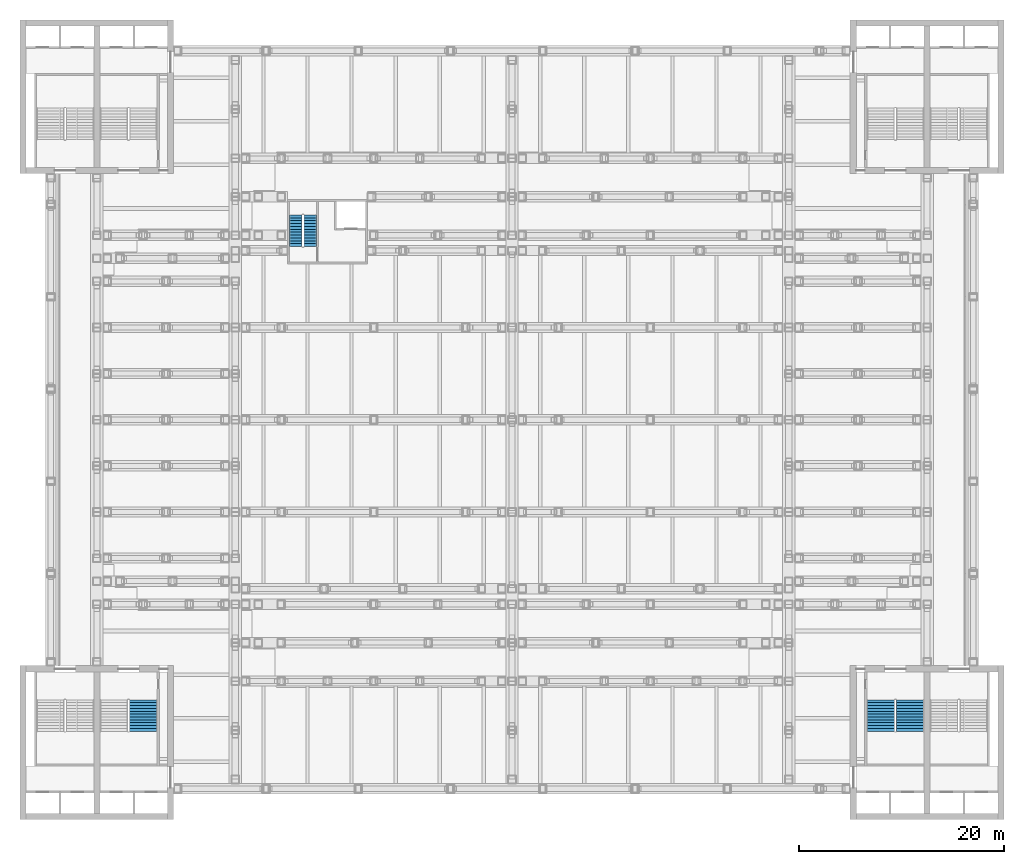
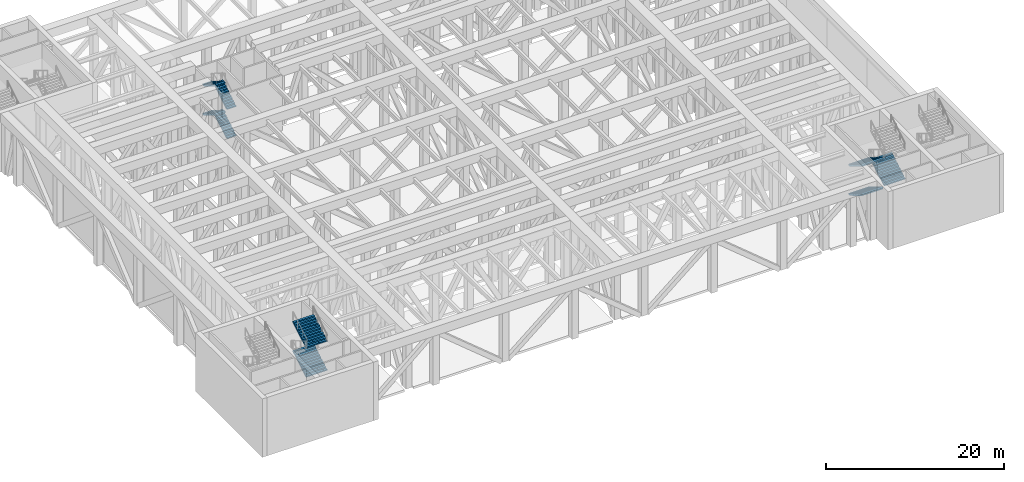
# One storey, part 13 of 20: 9 stair flights, 3 elements without a shape of their own.
"""IFC4 building model written with IfcOpenShell, lengths in metres."""

from ifc_helpers import new_model, si_unit, direction, frame, origin, place, context, subcontext, project, spatial, polyline, outline, extrude, material, type_object, element, aggregate, save


model = new_model("IFC4")

# Units and contexts
model_context = context("Model", 3, precision=1e-05, world=origin(), true_north=direction((0.0, 1.0)))
body_context = subcontext(model_context, "Body", "Model", "MODEL_VIEW")
ifc_project = project(units=[si_unit("LENGTHUNIT", "METRE"), si_unit("AREAUNIT", "SQUARE_METRE"), si_unit("VOLUMEUNIT", "CUBIC_METRE"), si_unit("PLANEANGLEUNIT", "RADIAN"), si_unit("MASSUNIT", "GRAM", prefix="KILO")], contexts=[model_context])

# Site, building, storey
site_placement = place(None, origin())
site = spatial("IfcSite", under=ifc_project, at=site_placement, CompositionType="ELEMENT")
building_placement = place(site_placement, origin())
building = spatial("IfcBuilding", under=site, at=building_placement, Name="Corbelhall Arena Tower", CompositionType="ELEMENT")
storey_placement = place(building_placement, frame((0.0, 0.0, 52.0)))
storey = spatial("IfcBuildingStorey", under=building, at=storey_placement, Name="L07", CompositionType="ELEMENT", Elevation=52.0)

# Stair, stair flights
ifc_material_1 = material(Name="Reinforced concrete C40/50", Category="concrete")
stair_type_1 = type_object("IfcStairType", Name="AR-EXIT-STAIR", PredefinedType="HALF_TURN_STAIR", material=ifc_material_1)
stair_1_placement = place(storey_placement, origin())
stair_1 = element("IfcStair", 1, at=stair_1_placement, inside=storey, type_object=stair_type_1, Name="L07 exit stair AS5", PredefinedType="HALF_TURN_STAIR")
stair_flight_type_1 = type_object("IfcStairFlightType", Name="AR-EXIT-FLIGHT", PredefinedType="STRAIGHT", material=ifc_material_1)
stair_flight_1_placement = place(storey_placement, frame((35.969970703125, -27.320068359375, 0.0), z_axis=(0.0, 0.0, 1.0), x_axis=(0.0, -1.0, 0.0)))
stair_flight_1 = element("IfcStairFlight", 2, at=stair_flight_1_placement, type_object=stair_flight_type_1, Name="AS5 flight 1", NumberOfRisers=12, NumberOfTreads=11, PredefinedType="STRAIGHT", RiserHeight=0.166666667, TreadLength=0.28, context=body_context, shape_type="SweptSolid", body=[
    extrude(outline(polyline([(0.0, 0.0), (0.0, 0.166748046875), (0.280029296875, 0.166748046875), (0.280029296875, 0.333251953125), (0.56005859375, 0.333251953125), (0.56005859375, 0.5), (0.840087890625, 0.5), (0.840087890625, 0.666748046875), (1.1201171875, 0.666748046875), (1.1201171875, 0.833251953125), (1.39990234375, 0.833251953125), (1.39990234375, 1.0), (1.679931640625, 1.0), (1.679931640625, 1.166748046875), (1.9599609375, 1.166748046875), (1.9599609375, 1.333251953125), (2.239990234375, 1.333251953125), (2.239990234375, 1.5), (2.52001953125, 1.5), (2.52001953125, 1.666748046875), (2.800048828125, 1.666748046875), (2.800048828125, 1.833251953125), (3.080078125, 1.833251953125), (3.080078125, 2.0), (3.080078125, 1.658935546875), (0.29296875, 0.0), (0.0, 0.0)])), frame((0.0, 1.35986328125, 0.0), z_axis=(0.0, -1.0, 0.0), x_axis=(1.0, 0.0, 0.0)), (0.0, 0.0, 1.0), 0.449951171875),
    extrude(outline(polyline([(0.0, 0.0), (0.0, 0.166748046875), (0.280029296875, 0.166748046875), (0.280029296875, 0.333251953125), (0.56005859375, 0.333251953125), (0.56005859375, 0.5), (0.840087890625, 0.5), (0.840087890625, 0.666748046875), (1.1201171875, 0.666748046875), (1.1201171875, 0.833251953125), (1.39990234375, 0.833251953125), (1.39990234375, 1.0), (1.679931640625, 1.0), (1.679931640625, 1.166748046875), (1.9599609375, 1.166748046875), (1.9599609375, 1.333251953125), (2.239990234375, 1.333251953125), (2.239990234375, 1.5), (2.52001953125, 1.5), (2.52001953125, 1.666748046875), (2.800048828125, 1.666748046875), (2.800048828125, 1.833251953125), (3.080078125, 1.833251953125), (3.080078125, 2.0), (3.080078125, 1.658935546875), (0.29296875, 0.0), (0.0, 0.0)])), frame((0.0, 0.906005859375, 0.0), z_axis=(0.0, -1.0, 0.0), x_axis=(1.0, 0.0, 0.0)), (0.0, 0.0, 1.0), 0.601318359375),
    extrude(outline(polyline([(0.0, 0.0), (0.0, 0.166748046875), (0.280029296875, 0.166748046875), (0.280029296875, 0.333251953125), (0.56005859375, 0.333251953125), (0.56005859375, 0.5), (0.840087890625, 0.5), (0.840087890625, 0.666748046875), (1.1201171875, 0.666748046875), (1.1201171875, 0.833251953125), (1.39990234375, 0.833251953125), (1.39990234375, 1.0), (1.679931640625, 1.0), (1.679931640625, 1.166748046875), (1.9599609375, 1.166748046875), (1.9599609375, 1.333251953125), (2.239990234375, 1.333251953125), (2.239990234375, 1.5), (2.52001953125, 1.5), (2.52001953125, 1.666748046875), (2.800048828125, 1.666748046875), (2.800048828125, 1.833251953125), (3.080078125, 1.833251953125), (3.080078125, 2.0), (3.080078125, 1.658935546875), (0.29296875, 0.0), (0.0, 0.0)])), frame((0.0, 0.30078125, 0.0), z_axis=(0.0, -1.0, 0.0), x_axis=(1.0, 0.0, 0.0)), (0.0, 0.0, 1.0), 0.601318359375),
    extrude(outline(polyline([(0.0, 0.0), (0.0, 0.166748046875), (0.280029296875, 0.166748046875), (0.280029296875, 0.333251953125), (0.56005859375, 0.333251953125), (0.56005859375, 0.5), (0.840087890625, 0.5), (0.840087890625, 0.666748046875), (1.1201171875, 0.666748046875), (1.1201171875, 0.833251953125), (1.39990234375, 0.833251953125), (1.39990234375, 1.0), (1.679931640625, 1.0), (1.679931640625, 1.166748046875), (1.9599609375, 1.166748046875), (1.9599609375, 1.333251953125), (2.239990234375, 1.333251953125), (2.239990234375, 1.5), (2.52001953125, 1.5), (2.52001953125, 1.666748046875), (2.800048828125, 1.666748046875), (2.800048828125, 1.833251953125), (3.080078125, 1.833251953125), (3.080078125, 2.0), (3.080078125, 1.658935546875), (0.29296875, 0.0), (0.0, 0.0)])), frame((0.0, -0.3046875, 0.0), z_axis=(0.0, -1.0, 0.0), x_axis=(1.0, 0.0, 0.0)), (0.0, 0.0, 1.0), 0.601318359375),
    extrude(outline(polyline([(0.0, 0.0), (0.0, 0.166748046875), (0.280029296875, 0.166748046875), (0.280029296875, 0.333251953125), (0.56005859375, 0.333251953125), (0.56005859375, 0.5), (0.840087890625, 0.5), (0.840087890625, 0.666748046875), (1.1201171875, 0.666748046875), (1.1201171875, 0.833251953125), (1.39990234375, 0.833251953125), (1.39990234375, 1.0), (1.679931640625, 1.0), (1.679931640625, 1.166748046875), (1.9599609375, 1.166748046875), (1.9599609375, 1.333251953125), (2.239990234375, 1.333251953125), (2.239990234375, 1.5), (2.52001953125, 1.5), (2.52001953125, 1.666748046875), (2.800048828125, 1.666748046875), (2.800048828125, 1.833251953125), (3.080078125, 1.833251953125), (3.080078125, 2.0), (3.080078125, 1.658935546875), (0.29296875, 0.0), (0.0, 0.0)])), frame((0.0, -0.909912109375, 0.0), z_axis=(0.0, -1.0, 0.0), x_axis=(1.0, 0.0, 0.0)), (0.0, 0.0, 1.0), 0.449951171875),
])
stair_flight_2_placement = place(storey_placement, frame((38.840087890625, -30.39990234375, 2.0), z_axis=(0.0, 0.0, 1.0), x_axis=(0.0, 1.0, 0.0)))
stair_flight_2 = element("IfcStairFlight", 3, at=stair_flight_2_placement, type_object=stair_flight_type_1, Name="AS5 flight 2", NumberOfRisers=12, NumberOfTreads=11, PredefinedType="STRAIGHT", RiserHeight=0.166666667, TreadLength=0.28, context=body_context, shape_type="SweptSolid", body=[
    extrude(outline(polyline([(0.0, 0.0), (0.0, 0.166748046875), (0.280029296875, 0.166748046875), (0.280029296875, 0.333251953125), (0.56005859375, 0.333251953125), (0.56005859375, 0.5), (0.840087890625, 0.5), (0.840087890625, 0.666748046875), (1.1201171875, 0.666748046875), (1.1201171875, 0.833251953125), (1.39990234375, 0.833251953125), (1.39990234375, 1.0), (1.679931640625, 1.0), (1.679931640625, 1.166748046875), (1.9599609375, 1.166748046875), (1.9599609375, 1.333251953125), (2.239990234375, 1.333251953125), (2.239990234375, 1.5), (2.52001953125, 1.5), (2.52001953125, 1.666748046875), (2.800048828125, 1.666748046875), (2.800048828125, 1.833251953125), (3.080078125, 1.833251953125), (3.080078125, 2.0), (3.080078125, 1.658935546875), (0.29296875, 0.0), (0.0, 0.0)])), frame((0.0, 1.35986328125, 0.0), z_axis=(0.0, -1.0, 0.0), x_axis=(1.0, 0.0, 0.0)), (0.0, 0.0, 1.0), 0.449951171875),
    extrude(outline(polyline([(0.0, 0.0), (0.0, 0.166748046875), (0.280029296875, 0.166748046875), (0.280029296875, 0.333251953125), (0.56005859375, 0.333251953125), (0.56005859375, 0.5), (0.840087890625, 0.5), (0.840087890625, 0.666748046875), (1.1201171875, 0.666748046875), (1.1201171875, 0.833251953125), (1.39990234375, 0.833251953125), (1.39990234375, 1.0), (1.679931640625, 1.0), (1.679931640625, 1.166748046875), (1.9599609375, 1.166748046875), (1.9599609375, 1.333251953125), (2.239990234375, 1.333251953125), (2.239990234375, 1.5), (2.52001953125, 1.5), (2.52001953125, 1.666748046875), (2.800048828125, 1.666748046875), (2.800048828125, 1.833251953125), (3.080078125, 1.833251953125), (3.080078125, 2.0), (3.080078125, 1.658935546875), (0.29296875, 0.0), (0.0, 0.0)])), frame((0.0, 0.906005859375, 0.0), z_axis=(0.0, -1.0, 0.0), x_axis=(1.0, 0.0, 0.0)), (0.0, 0.0, 1.0), 0.601318359375),
    extrude(outline(polyline([(0.0, 0.0), (0.0, 0.166748046875), (0.280029296875, 0.166748046875), (0.280029296875, 0.333251953125), (0.56005859375, 0.333251953125), (0.56005859375, 0.5), (0.840087890625, 0.5), (0.840087890625, 0.666748046875), (1.1201171875, 0.666748046875), (1.1201171875, 0.833251953125), (1.39990234375, 0.833251953125), (1.39990234375, 1.0), (1.679931640625, 1.0), (1.679931640625, 1.166748046875), (1.9599609375, 1.166748046875), (1.9599609375, 1.333251953125), (2.239990234375, 1.333251953125), (2.239990234375, 1.5), (2.52001953125, 1.5), (2.52001953125, 1.666748046875), (2.800048828125, 1.666748046875), (2.800048828125, 1.833251953125), (3.080078125, 1.833251953125), (3.080078125, 2.0), (3.080078125, 1.658935546875), (0.29296875, 0.0), (0.0, 0.0)])), frame((0.0, 0.30078125, 0.0), z_axis=(0.0, -1.0, 0.0), x_axis=(1.0, 0.0, 0.0)), (0.0, 0.0, 1.0), 0.601318359375),
    extrude(outline(polyline([(0.0, 0.0), (0.0, 0.166748046875), (0.280029296875, 0.166748046875), (0.280029296875, 0.333251953125), (0.56005859375, 0.333251953125), (0.56005859375, 0.5), (0.840087890625, 0.5), (0.840087890625, 0.666748046875), (1.1201171875, 0.666748046875), (1.1201171875, 0.833251953125), (1.39990234375, 0.833251953125), (1.39990234375, 1.0), (1.679931640625, 1.0), (1.679931640625, 1.166748046875), (1.9599609375, 1.166748046875), (1.9599609375, 1.333251953125), (2.239990234375, 1.333251953125), (2.239990234375, 1.5), (2.52001953125, 1.5), (2.52001953125, 1.666748046875), (2.800048828125, 1.666748046875), (2.800048828125, 1.833251953125), (3.080078125, 1.833251953125), (3.080078125, 2.0), (3.080078125, 1.658935546875), (0.29296875, 0.0), (0.0, 0.0)])), frame((0.0, -0.3046875, 0.0), z_axis=(0.0, -1.0, 0.0), x_axis=(1.0, 0.0, 0.0)), (0.0, 0.0, 1.0), 0.601318359375),
    extrude(outline(polyline([(0.0, 0.0), (0.0, 0.166748046875), (0.280029296875, 0.166748046875), (0.280029296875, 0.333251953125), (0.56005859375, 0.333251953125), (0.56005859375, 0.5), (0.840087890625, 0.5), (0.840087890625, 0.666748046875), (1.1201171875, 0.666748046875), (1.1201171875, 0.833251953125), (1.39990234375, 0.833251953125), (1.39990234375, 1.0), (1.679931640625, 1.0), (1.679931640625, 1.166748046875), (1.9599609375, 1.166748046875), (1.9599609375, 1.333251953125), (2.239990234375, 1.333251953125), (2.239990234375, 1.5), (2.52001953125, 1.5), (2.52001953125, 1.666748046875), (2.800048828125, 1.666748046875), (2.800048828125, 1.833251953125), (3.080078125, 1.833251953125), (3.080078125, 2.0), (3.080078125, 1.658935546875), (0.29296875, 0.0), (0.0, 0.0)])), frame((0.0, -0.909912109375, 0.0), z_axis=(0.0, -1.0, 0.0), x_axis=(1.0, 0.0, 0.0)), (0.0, 0.0, 1.0), 0.449951171875),
])
stair_flight_3_placement = place(storey_placement, frame((35.969970703125, -27.320068359375, 4.0), z_axis=(0.0, 0.0, 1.0), x_axis=(0.0, -1.0, 0.0)))
stair_flight_3 = element("IfcStairFlight", 4, at=stair_flight_3_placement, type_object=stair_flight_type_1, Name="AS5 flight 3", NumberOfRisers=12, NumberOfTreads=11, PredefinedType="STRAIGHT", RiserHeight=0.166666667, TreadLength=0.28, context=body_context, shape_type="SweptSolid", body=[
    extrude(outline(polyline([(0.0, 0.0), (0.0, 0.166748046875), (0.280029296875, 0.166748046875), (0.280029296875, 0.333251953125), (0.56005859375, 0.333251953125), (0.56005859375, 0.5), (0.840087890625, 0.5), (0.840087890625, 0.666748046875), (1.1201171875, 0.666748046875), (1.1201171875, 0.833251953125), (1.39990234375, 0.833251953125), (1.39990234375, 1.0), (1.679931640625, 1.0), (1.679931640625, 1.166748046875), (1.9599609375, 1.166748046875), (1.9599609375, 1.333251953125), (2.239990234375, 1.333251953125), (2.239990234375, 1.5), (2.52001953125, 1.5), (2.52001953125, 1.666748046875), (2.800048828125, 1.666748046875), (2.800048828125, 1.833251953125), (3.080078125, 1.833251953125), (3.080078125, 2.0), (3.080078125, 1.658935546875), (0.29296875, 0.0), (0.0, 0.0)])), frame((0.0, 1.35986328125, 0.0), z_axis=(0.0, -1.0, 0.0), x_axis=(1.0, 0.0, 0.0)), (0.0, 0.0, 1.0), 0.449951171875),
    extrude(outline(polyline([(0.0, 0.0), (0.0, 0.166748046875), (0.280029296875, 0.166748046875), (0.280029296875, 0.333251953125), (0.56005859375, 0.333251953125), (0.56005859375, 0.5), (0.840087890625, 0.5), (0.840087890625, 0.666748046875), (1.1201171875, 0.666748046875), (1.1201171875, 0.833251953125), (1.39990234375, 0.833251953125), (1.39990234375, 1.0), (1.679931640625, 1.0), (1.679931640625, 1.166748046875), (1.9599609375, 1.166748046875), (1.9599609375, 1.333251953125), (2.239990234375, 1.333251953125), (2.239990234375, 1.5), (2.52001953125, 1.5), (2.52001953125, 1.666748046875), (2.800048828125, 1.666748046875), (2.800048828125, 1.833251953125), (3.080078125, 1.833251953125), (3.080078125, 2.0), (3.080078125, 1.658935546875), (0.29296875, 0.0), (0.0, 0.0)])), frame((0.0, 0.906005859375, 0.0), z_axis=(0.0, -1.0, 0.0), x_axis=(1.0, 0.0, 0.0)), (0.0, 0.0, 1.0), 0.601318359375),
    extrude(outline(polyline([(0.0, 0.0), (0.0, 0.166748046875), (0.280029296875, 0.166748046875), (0.280029296875, 0.333251953125), (0.56005859375, 0.333251953125), (0.56005859375, 0.5), (0.840087890625, 0.5), (0.840087890625, 0.666748046875), (1.1201171875, 0.666748046875), (1.1201171875, 0.833251953125), (1.39990234375, 0.833251953125), (1.39990234375, 1.0), (1.679931640625, 1.0), (1.679931640625, 1.166748046875), (1.9599609375, 1.166748046875), (1.9599609375, 1.333251953125), (2.239990234375, 1.333251953125), (2.239990234375, 1.5), (2.52001953125, 1.5), (2.52001953125, 1.666748046875), (2.800048828125, 1.666748046875), (2.800048828125, 1.833251953125), (3.080078125, 1.833251953125), (3.080078125, 2.0), (3.080078125, 1.658935546875), (0.29296875, 0.0), (0.0, 0.0)])), frame((0.0, 0.30078125, 0.0), z_axis=(0.0, -1.0, 0.0), x_axis=(1.0, 0.0, 0.0)), (0.0, 0.0, 1.0), 0.601318359375),
    extrude(outline(polyline([(0.0, 0.0), (0.0, 0.166748046875), (0.280029296875, 0.166748046875), (0.280029296875, 0.333251953125), (0.56005859375, 0.333251953125), (0.56005859375, 0.5), (0.840087890625, 0.5), (0.840087890625, 0.666748046875), (1.1201171875, 0.666748046875), (1.1201171875, 0.833251953125), (1.39990234375, 0.833251953125), (1.39990234375, 1.0), (1.679931640625, 1.0), (1.679931640625, 1.166748046875), (1.9599609375, 1.166748046875), (1.9599609375, 1.333251953125), (2.239990234375, 1.333251953125), (2.239990234375, 1.5), (2.52001953125, 1.5), (2.52001953125, 1.666748046875), (2.800048828125, 1.666748046875), (2.800048828125, 1.833251953125), (3.080078125, 1.833251953125), (3.080078125, 2.0), (3.080078125, 1.658935546875), (0.29296875, 0.0), (0.0, 0.0)])), frame((0.0, -0.3046875, 0.0), z_axis=(0.0, -1.0, 0.0), x_axis=(1.0, 0.0, 0.0)), (0.0, 0.0, 1.0), 0.601318359375),
    extrude(outline(polyline([(0.0, 0.0), (0.0, 0.166748046875), (0.280029296875, 0.166748046875), (0.280029296875, 0.333251953125), (0.56005859375, 0.333251953125), (0.56005859375, 0.5), (0.840087890625, 0.5), (0.840087890625, 0.666748046875), (1.1201171875, 0.666748046875), (1.1201171875, 0.833251953125), (1.39990234375, 0.833251953125), (1.39990234375, 1.0), (1.679931640625, 1.0), (1.679931640625, 1.166748046875), (1.9599609375, 1.166748046875), (1.9599609375, 1.333251953125), (2.239990234375, 1.333251953125), (2.239990234375, 1.5), (2.52001953125, 1.5), (2.52001953125, 1.666748046875), (2.800048828125, 1.666748046875), (2.800048828125, 1.833251953125), (3.080078125, 1.833251953125), (3.080078125, 2.0), (3.080078125, 1.658935546875), (0.29296875, 0.0), (0.0, 0.0)])), frame((0.0, -0.909912109375, 0.0), z_axis=(0.0, -1.0, 0.0), x_axis=(1.0, 0.0, 0.0)), (0.0, 0.0, 1.0), 0.449951171875),
])
aggregate(stair_1, [stair_flight_1, stair_flight_2, stair_flight_3])

stair_2_placement = place(storey_placement, origin())
stair_2 = element("IfcStair", 5, at=stair_2_placement, inside=storey, type_object=stair_type_1, Name="L07 exit stair AS7", PredefinedType="HALF_TURN_STAIR")
stair_flight_4_placement = place(storey_placement, frame((-35.969970703125, -30.39990234375, 2.0), z_axis=(0.0, 0.0, 1.0), x_axis=(0.0, 1.0, 0.0)))
stair_flight_4 = element("IfcStairFlight", 6, at=stair_flight_4_placement, type_object=stair_flight_type_1, Name="AS7 flight 2", NumberOfRisers=12, NumberOfTreads=11, PredefinedType="STRAIGHT", RiserHeight=0.166666667, TreadLength=0.28, context=body_context, shape_type="SweptSolid", body=[
    extrude(outline(polyline([(0.0, 0.0), (0.0, 0.166748046875), (0.280029296875, 0.166748046875), (0.280029296875, 0.333251953125), (0.56005859375, 0.333251953125), (0.56005859375, 0.5), (0.840087890625, 0.5), (0.840087890625, 0.666748046875), (1.1201171875, 0.666748046875), (1.1201171875, 0.833251953125), (1.39990234375, 0.833251953125), (1.39990234375, 1.0), (1.679931640625, 1.0), (1.679931640625, 1.166748046875), (1.9599609375, 1.166748046875), (1.9599609375, 1.333251953125), (2.239990234375, 1.333251953125), (2.239990234375, 1.5), (2.52001953125, 1.5), (2.52001953125, 1.666748046875), (2.800048828125, 1.666748046875), (2.800048828125, 1.833251953125), (3.080078125, 1.833251953125), (3.080078125, 2.0), (3.080078125, 1.658935546875), (0.29296875, 0.0), (0.0, 0.0)])), frame((0.0, 1.35986328125, 0.0), z_axis=(0.0, -1.0, 0.0), x_axis=(1.0, 0.0, 0.0)), (0.0, 0.0, 1.0), 0.449951171875),
    extrude(outline(polyline([(0.0, 0.0), (0.0, 0.166748046875), (0.280029296875, 0.166748046875), (0.280029296875, 0.333251953125), (0.56005859375, 0.333251953125), (0.56005859375, 0.5), (0.840087890625, 0.5), (0.840087890625, 0.666748046875), (1.1201171875, 0.666748046875), (1.1201171875, 0.833251953125), (1.39990234375, 0.833251953125), (1.39990234375, 1.0), (1.679931640625, 1.0), (1.679931640625, 1.166748046875), (1.9599609375, 1.166748046875), (1.9599609375, 1.333251953125), (2.239990234375, 1.333251953125), (2.239990234375, 1.5), (2.52001953125, 1.5), (2.52001953125, 1.666748046875), (2.800048828125, 1.666748046875), (2.800048828125, 1.833251953125), (3.080078125, 1.833251953125), (3.080078125, 2.0), (3.080078125, 1.658935546875), (0.29296875, 0.0), (0.0, 0.0)])), frame((0.0, 0.906005859375, 0.0), z_axis=(0.0, -1.0, 0.0), x_axis=(1.0, 0.0, 0.0)), (0.0, 0.0, 1.0), 0.601318359375),
    extrude(outline(polyline([(0.0, 0.0), (0.0, 0.166748046875), (0.280029296875, 0.166748046875), (0.280029296875, 0.333251953125), (0.56005859375, 0.333251953125), (0.56005859375, 0.5), (0.840087890625, 0.5), (0.840087890625, 0.666748046875), (1.1201171875, 0.666748046875), (1.1201171875, 0.833251953125), (1.39990234375, 0.833251953125), (1.39990234375, 1.0), (1.679931640625, 1.0), (1.679931640625, 1.166748046875), (1.9599609375, 1.166748046875), (1.9599609375, 1.333251953125), (2.239990234375, 1.333251953125), (2.239990234375, 1.5), (2.52001953125, 1.5), (2.52001953125, 1.666748046875), (2.800048828125, 1.666748046875), (2.800048828125, 1.833251953125), (3.080078125, 1.833251953125), (3.080078125, 2.0), (3.080078125, 1.658935546875), (0.29296875, 0.0), (0.0, 0.0)])), frame((0.0, 0.30078125, 0.0), z_axis=(0.0, -1.0, 0.0), x_axis=(1.0, 0.0, 0.0)), (0.0, 0.0, 1.0), 0.601318359375),
    extrude(outline(polyline([(0.0, 0.0), (0.0, 0.166748046875), (0.280029296875, 0.166748046875), (0.280029296875, 0.333251953125), (0.56005859375, 0.333251953125), (0.56005859375, 0.5), (0.840087890625, 0.5), (0.840087890625, 0.666748046875), (1.1201171875, 0.666748046875), (1.1201171875, 0.833251953125), (1.39990234375, 0.833251953125), (1.39990234375, 1.0), (1.679931640625, 1.0), (1.679931640625, 1.166748046875), (1.9599609375, 1.166748046875), (1.9599609375, 1.333251953125), (2.239990234375, 1.333251953125), (2.239990234375, 1.5), (2.52001953125, 1.5), (2.52001953125, 1.666748046875), (2.800048828125, 1.666748046875), (2.800048828125, 1.833251953125), (3.080078125, 1.833251953125), (3.080078125, 2.0), (3.080078125, 1.658935546875), (0.29296875, 0.0), (0.0, 0.0)])), frame((0.0, -0.3046875, 0.0), z_axis=(0.0, -1.0, 0.0), x_axis=(1.0, 0.0, 0.0)), (0.0, 0.0, 1.0), 0.601318359375),
    extrude(outline(polyline([(0.0, 0.0), (0.0, 0.166748046875), (0.280029296875, 0.166748046875), (0.280029296875, 0.333251953125), (0.56005859375, 0.333251953125), (0.56005859375, 0.5), (0.840087890625, 0.5), (0.840087890625, 0.666748046875), (1.1201171875, 0.666748046875), (1.1201171875, 0.833251953125), (1.39990234375, 0.833251953125), (1.39990234375, 1.0), (1.679931640625, 1.0), (1.679931640625, 1.166748046875), (1.9599609375, 1.166748046875), (1.9599609375, 1.333251953125), (2.239990234375, 1.333251953125), (2.239990234375, 1.5), (2.52001953125, 1.5), (2.52001953125, 1.666748046875), (2.800048828125, 1.666748046875), (2.800048828125, 1.833251953125), (3.080078125, 1.833251953125), (3.080078125, 2.0), (3.080078125, 1.658935546875), (0.29296875, 0.0), (0.0, 0.0)])), frame((0.0, -0.909912109375, 0.0), z_axis=(0.0, -1.0, 0.0), x_axis=(1.0, 0.0, 0.0)), (0.0, 0.0, 1.0), 0.449951171875),
])
stair_flight_5_placement = place(storey_placement, frame((-35.969970703125, -30.39990234375, 6.0), z_axis=(0.0, 0.0, 1.0), x_axis=(0.0, 1.0, 0.0)))
stair_flight_5 = element("IfcStairFlight", 7, at=stair_flight_5_placement, type_object=stair_flight_type_1, Name="AS7 flight 4", NumberOfRisers=12, NumberOfTreads=11, PredefinedType="STRAIGHT", RiserHeight=0.166666667, TreadLength=0.28, context=body_context, shape_type="SweptSolid", body=[
    extrude(outline(polyline([(0.0, 0.0), (0.0, 0.166748046875), (0.280029296875, 0.166748046875), (0.280029296875, 0.333251953125), (0.56005859375, 0.333251953125), (0.56005859375, 0.5), (0.840087890625, 0.5), (0.840087890625, 0.666748046875), (1.1201171875, 0.666748046875), (1.1201171875, 0.833251953125), (1.39990234375, 0.833251953125), (1.39990234375, 1.0), (1.679931640625, 1.0), (1.679931640625, 1.166748046875), (1.9599609375, 1.166748046875), (1.9599609375, 1.333251953125), (2.239990234375, 1.333251953125), (2.239990234375, 1.5), (2.52001953125, 1.5), (2.52001953125, 1.666748046875), (2.800048828125, 1.666748046875), (2.800048828125, 1.833251953125), (3.080078125, 1.833251953125), (3.080078125, 2.0), (3.080078125, 1.658935546875), (0.29296875, 0.0), (0.0, 0.0)])), frame((0.0, 1.35986328125, 0.0), z_axis=(0.0, -1.0, 0.0), x_axis=(1.0, 0.0, 0.0)), (0.0, 0.0, 1.0), 0.449951171875),
    extrude(outline(polyline([(0.0, 0.0), (0.0, 0.166748046875), (0.280029296875, 0.166748046875), (0.280029296875, 0.333251953125), (0.56005859375, 0.333251953125), (0.56005859375, 0.5), (0.840087890625, 0.5), (0.840087890625, 0.666748046875), (1.1201171875, 0.666748046875), (1.1201171875, 0.833251953125), (1.39990234375, 0.833251953125), (1.39990234375, 1.0), (1.679931640625, 1.0), (1.679931640625, 1.166748046875), (1.9599609375, 1.166748046875), (1.9599609375, 1.333251953125), (2.239990234375, 1.333251953125), (2.239990234375, 1.5), (2.52001953125, 1.5), (2.52001953125, 1.666748046875), (2.800048828125, 1.666748046875), (2.800048828125, 1.833251953125), (3.080078125, 1.833251953125), (3.080078125, 2.0), (3.080078125, 1.658935546875), (0.29296875, 0.0), (0.0, 0.0)])), frame((0.0, 0.906005859375, 0.0), z_axis=(0.0, -1.0, 0.0), x_axis=(1.0, 0.0, 0.0)), (0.0, 0.0, 1.0), 0.601318359375),
    extrude(outline(polyline([(0.0, 0.0), (0.0, 0.166748046875), (0.280029296875, 0.166748046875), (0.280029296875, 0.333251953125), (0.56005859375, 0.333251953125), (0.56005859375, 0.5), (0.840087890625, 0.5), (0.840087890625, 0.666748046875), (1.1201171875, 0.666748046875), (1.1201171875, 0.833251953125), (1.39990234375, 0.833251953125), (1.39990234375, 1.0), (1.679931640625, 1.0), (1.679931640625, 1.166748046875), (1.9599609375, 1.166748046875), (1.9599609375, 1.333251953125), (2.239990234375, 1.333251953125), (2.239990234375, 1.5), (2.52001953125, 1.5), (2.52001953125, 1.666748046875), (2.800048828125, 1.666748046875), (2.800048828125, 1.833251953125), (3.080078125, 1.833251953125), (3.080078125, 2.0), (3.080078125, 1.658935546875), (0.29296875, 0.0), (0.0, 0.0)])), frame((0.0, 0.30078125, 0.0), z_axis=(0.0, -1.0, 0.0), x_axis=(1.0, 0.0, 0.0)), (0.0, 0.0, 1.0), 0.601318359375),
    extrude(outline(polyline([(0.0, 0.0), (0.0, 0.166748046875), (0.280029296875, 0.166748046875), (0.280029296875, 0.333251953125), (0.56005859375, 0.333251953125), (0.56005859375, 0.5), (0.840087890625, 0.5), (0.840087890625, 0.666748046875), (1.1201171875, 0.666748046875), (1.1201171875, 0.833251953125), (1.39990234375, 0.833251953125), (1.39990234375, 1.0), (1.679931640625, 1.0), (1.679931640625, 1.166748046875), (1.9599609375, 1.166748046875), (1.9599609375, 1.333251953125), (2.239990234375, 1.333251953125), (2.239990234375, 1.5), (2.52001953125, 1.5), (2.52001953125, 1.666748046875), (2.800048828125, 1.666748046875), (2.800048828125, 1.833251953125), (3.080078125, 1.833251953125), (3.080078125, 2.0), (3.080078125, 1.658935546875), (0.29296875, 0.0), (0.0, 0.0)])), frame((0.0, -0.3046875, 0.0), z_axis=(0.0, -1.0, 0.0), x_axis=(1.0, 0.0, 0.0)), (0.0, 0.0, 1.0), 0.601318359375),
    extrude(outline(polyline([(0.0, 0.0), (0.0, 0.166748046875), (0.280029296875, 0.166748046875), (0.280029296875, 0.333251953125), (0.56005859375, 0.333251953125), (0.56005859375, 0.5), (0.840087890625, 0.5), (0.840087890625, 0.666748046875), (1.1201171875, 0.666748046875), (1.1201171875, 0.833251953125), (1.39990234375, 0.833251953125), (1.39990234375, 1.0), (1.679931640625, 1.0), (1.679931640625, 1.166748046875), (1.9599609375, 1.166748046875), (1.9599609375, 1.333251953125), (2.239990234375, 1.333251953125), (2.239990234375, 1.5), (2.52001953125, 1.5), (2.52001953125, 1.666748046875), (2.800048828125, 1.666748046875), (2.800048828125, 1.833251953125), (3.080078125, 1.833251953125), (3.080078125, 2.0), (3.080078125, 1.658935546875), (0.29296875, 0.0), (0.0, 0.0)])), frame((0.0, -0.909912109375, 0.0), z_axis=(0.0, -1.0, 0.0), x_axis=(1.0, 0.0, 0.0)), (0.0, 0.0, 1.0), 0.449951171875),
])
aggregate(stair_2, [stair_flight_4, stair_flight_5])

ifc_material_2 = material(Name="Concrete C40/50", Category="concrete")
stair_type_2 = type_object("IfcStairType", Name="IN-ST-TOWER", PredefinedType="HALF_TURN_STAIR", material=ifc_material_2)
stair_3_placement = place(storey_placement, origin())
stair_3 = element("IfcStair", 8, at=stair_3_placement, inside=storey, type_object=stair_type_2, Name="L07 Exit stair AS17", PredefinedType="HALF_TURN_STAIR")
stair_flight_type_2 = type_object("IfcStairFlightType", Name="IN-SFL-RC", PredefinedType="STRAIGHT", material=ifc_material_2)
stair_flight_6_placement = place(storey_placement, frame((-19.695068359375, 16.89990234375, 0.0), z_axis=(0.0, 0.0, 1.0), x_axis=(0.0, 1.0, 0.0)))
stair_flight_6 = element("IfcStairFlight", 9, at=stair_flight_6_placement, type_object=stair_flight_type_2, Name="AS17 flight 1", NumberOfRisers=12, NumberOfTreads=11, PredefinedType="STRAIGHT", RiserHeight=0.166666667, TreadLength=0.28, context=body_context, shape_type="SweptSolid", body=[
    extrude(outline(polyline([(0.0, 0.0), (0.0, 0.166748046875), (0.280029296875, 0.166748046875), (0.280029296875, 0.333251953125), (0.56005859375, 0.333251953125), (0.56005859375, 0.5), (0.840087890625, 0.5), (0.840087890625, 0.666748046875), (1.1201171875, 0.666748046875), (1.1201171875, 0.833251953125), (1.39990234375, 0.833251953125), (1.39990234375, 1.0), (1.679931640625, 1.0), (1.679931640625, 1.166748046875), (1.9599609375, 1.166748046875), (1.9599609375, 1.333251953125), (2.239990234375, 1.333251953125), (2.239990234375, 1.5), (2.52001953125, 1.5), (2.52001953125, 1.666748046875), (2.800048828125, 1.666748046875), (2.800048828125, 1.833251953125), (3.080078125, 1.833251953125), (3.080078125, 2.0), (3.080078125, 1.658935546875), (0.29296875, 0.0), (0.0, 0.0)])), frame((0.0, 0.60009765625, 0.0), z_axis=(0.0, -1.0, 0.0), x_axis=(1.0, 0.0, 0.0)), (0.0, 0.0, 1.0), 1.199951171875),
])
stair_flight_7_placement = place(storey_placement, frame((-21.094970703125, 19.97998046875, 2.0), z_axis=(0.0, 0.0, 1.0), x_axis=(0.0, -1.0, 0.0)))
stair_flight_7 = element("IfcStairFlight", 10, at=stair_flight_7_placement, type_object=stair_flight_type_2, Name="AS17 flight 2", NumberOfRisers=12, NumberOfTreads=11, PredefinedType="STRAIGHT", RiserHeight=0.166666667, TreadLength=0.28, context=body_context, shape_type="SweptSolid", body=[
    extrude(outline(polyline([(0.0, 0.0), (0.0, 0.166748046875), (0.280029296875, 0.166748046875), (0.280029296875, 0.333251953125), (0.56005859375, 0.333251953125), (0.56005859375, 0.5), (0.840087890625, 0.5), (0.840087890625, 0.666748046875), (1.1201171875, 0.666748046875), (1.1201171875, 0.833251953125), (1.39990234375, 0.833251953125), (1.39990234375, 1.0), (1.679931640625, 1.0), (1.679931640625, 1.166748046875), (1.9599609375, 1.166748046875), (1.9599609375, 1.333251953125), (2.239990234375, 1.333251953125), (2.239990234375, 1.5), (2.52001953125, 1.5), (2.52001953125, 1.666748046875), (2.800048828125, 1.666748046875), (2.800048828125, 1.833251953125), (3.080078125, 1.833251953125), (3.080078125, 2.0), (3.080078125, 1.658935546875), (0.29296875, 0.0), (0.0, 0.0)])), frame((0.0, 0.60009765625, 0.0), z_axis=(0.0, -1.0, 0.0), x_axis=(1.0, 0.0, 0.0)), (0.0, 0.0, 1.0), 1.199951171875),
])
stair_flight_8_placement = place(storey_placement, frame((-19.695068359375, 16.89990234375, 4.0), z_axis=(0.0, 0.0, 1.0), x_axis=(0.0, 1.0, 0.0)))
stair_flight_8 = element("IfcStairFlight", 11, at=stair_flight_8_placement, type_object=stair_flight_type_2, Name="AS17 flight 3", NumberOfRisers=12, NumberOfTreads=11, PredefinedType="STRAIGHT", RiserHeight=0.166666667, TreadLength=0.28, context=body_context, shape_type="SweptSolid", body=[
    extrude(outline(polyline([(0.0, 0.0), (0.0, 0.166748046875), (0.280029296875, 0.166748046875), (0.280029296875, 0.333251953125), (0.56005859375, 0.333251953125), (0.56005859375, 0.5), (0.840087890625, 0.5), (0.840087890625, 0.666748046875), (1.1201171875, 0.666748046875), (1.1201171875, 0.833251953125), (1.39990234375, 0.833251953125), (1.39990234375, 1.0), (1.679931640625, 1.0), (1.679931640625, 1.166748046875), (1.9599609375, 1.166748046875), (1.9599609375, 1.333251953125), (2.239990234375, 1.333251953125), (2.239990234375, 1.5), (2.52001953125, 1.5), (2.52001953125, 1.666748046875), (2.800048828125, 1.666748046875), (2.800048828125, 1.833251953125), (3.080078125, 1.833251953125), (3.080078125, 2.0), (3.080078125, 1.658935546875), (0.29296875, 0.0), (0.0, 0.0)])), frame((0.0, 0.60009765625, 0.0), z_axis=(0.0, -1.0, 0.0), x_axis=(1.0, 0.0, 0.0)), (0.0, 0.0, 1.0), 1.199951171875),
])
stair_flight_9_placement = place(storey_placement, frame((-21.094970703125, 19.97998046875, 6.0), z_axis=(0.0, 0.0, 1.0), x_axis=(0.0, -1.0, 0.0)))
stair_flight_9 = element("IfcStairFlight", 12, at=stair_flight_9_placement, type_object=stair_flight_type_2, Name="AS17 flight 4", NumberOfRisers=12, NumberOfTreads=11, PredefinedType="STRAIGHT", RiserHeight=0.166666667, TreadLength=0.28, context=body_context, shape_type="SweptSolid", body=[
    extrude(outline(polyline([(0.0, 0.0), (0.0, 0.166748046875), (0.280029296875, 0.166748046875), (0.280029296875, 0.333251953125), (0.56005859375, 0.333251953125), (0.56005859375, 0.5), (0.840087890625, 0.5), (0.840087890625, 0.666748046875), (1.1201171875, 0.666748046875), (1.1201171875, 0.833251953125), (1.39990234375, 0.833251953125), (1.39990234375, 1.0), (1.679931640625, 1.0), (1.679931640625, 1.166748046875), (1.9599609375, 1.166748046875), (1.9599609375, 1.333251953125), (2.239990234375, 1.333251953125), (2.239990234375, 1.5), (2.52001953125, 1.5), (2.52001953125, 1.666748046875), (2.800048828125, 1.666748046875), (2.800048828125, 1.833251953125), (3.080078125, 1.833251953125), (3.080078125, 2.0), (3.080078125, 1.658935546875), (0.29296875, 0.0), (0.0, 0.0)])), frame((0.0, 0.60009765625, 0.0), z_axis=(0.0, -1.0, 0.0), x_axis=(1.0, 0.0, 0.0)), (0.0, 0.0, 1.0), 1.199951171875),
])
aggregate(stair_3, [stair_flight_6, stair_flight_7, stair_flight_8, stair_flight_9])

save(model, "model.ifc")
